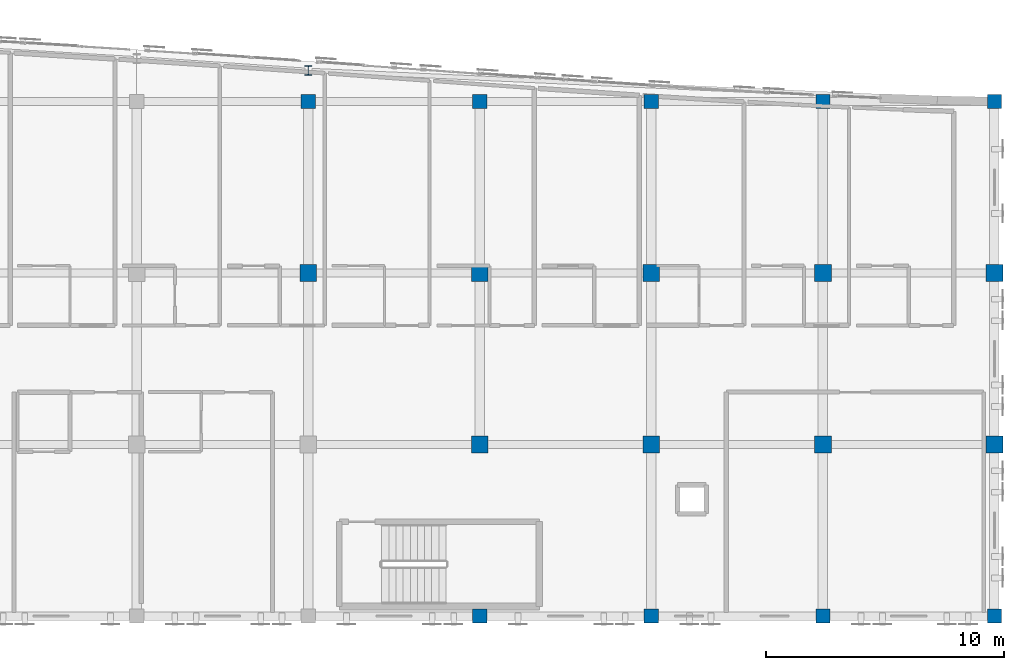
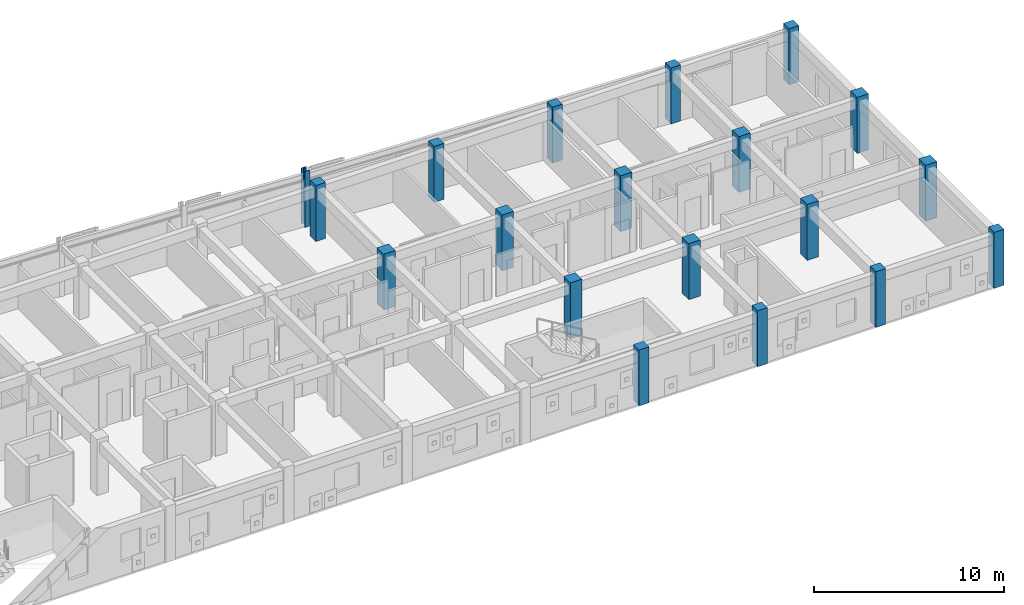
# One storey, part 4 of 48: 19 columns.
"""IFC4 building model written with IfcOpenShell, lengths in metres."""

from ifc_helpers import new_model, si_unit, direction, frame, origin, origin_2d, place, context, subcontext, project, spatial, rectangle, i_section, extrude, material, material_profile, profile_set, type_object, element, save


model = new_model("IFC4")

# Units and contexts
model_context = context("Model", 3, precision=1e-05, world=origin(), true_north=direction((0.0, 1.0)))
body_context = subcontext(model_context, "Body", "Model", "MODEL_VIEW")
ifc_project = project(units=[si_unit("LENGTHUNIT", "METRE"), si_unit("AREAUNIT", "SQUARE_METRE"), si_unit("VOLUMEUNIT", "CUBIC_METRE"), si_unit("PLANEANGLEUNIT", "RADIAN"), si_unit("MASSUNIT", "GRAM", prefix="KILO")], contexts=[model_context])

# Site, building, storey
site_placement = place(None, origin())
site = spatial("IfcSite", under=ifc_project, at=site_placement, CompositionType="ELEMENT")
building_placement = place(site_placement, origin())
building = spatial("IfcBuilding", under=site, at=building_placement, Name="Carrowvane Square Congress Hotel", CompositionType="ELEMENT")
storey_placement = place(building_placement, frame((0.0, 0.0, 26.39990234375)))
storey = spatial("IfcBuildingStorey", under=building, at=storey_placement, Name="L06", CompositionType="ELEMENT", Elevation=26.39990234375)

# Columns
ifc_material_1 = material(Name="Concrete C40/50", Category="concrete")
ifc_material_profile_1 = material_profile(ifc_material_1, rectangle(XDim=0.60009765625, YDim=0.60009765625, at=origin_2d()), Name="RC 600x600")
ifc_profile_set_1 = profile_set([ifc_material_profile_1], Name="Concrete C40/50")
column_type_1 = type_object("IfcColumnType", Name="COL-RC-600", PredefinedType="COLUMN", material=ifc_profile_set_1)
for number, where, z_axis, x_axis, name in (
    (1, (134.0, 113.39990234375, 0.0), (0.0, 0.0, 1.0), (1.0, 0.0, 0.0), "L06 column 18/R"),
    (2, (141.199951171875, 91.800048828125, 0.0), (0.0, 0.0, 1.0), (1.0, 0.0, 0.0), "L06 column 19/N"),
    (3, (141.199951171875, 113.39990234375, 0.0), (0.0, 0.0, 1.0), (1.0, 0.0, 0.0), "L06 column 19/R"),
    (4, (148.39990234375, 91.800048828125, 0.0), (0.0, 0.0, 1.0), (1.0, 0.0, 0.0), "L06 column 20/N"),
    (5, (148.39990234375, 113.39990234375, 0.0), (0.0, 0.0, 1.0), (1.0, 0.0, 0.0), "L06 column 20/R"),
    (6, (155.60009765625, 91.800048828125, 0.0), (0.0, 0.0, 1.0), (1.0, 0.0, 0.0), "L06 column 21/N"),
    (7, (155.60009765625, 113.39990234375, 0.0), (0.0, 0.0, 1.0), (1.0, 0.0, 0.0), "L06 column 21/R"),
    (8, (162.800048828125, 91.800048828125, 0.0), (0.0, 0.0, 1.0), (1.0, 0.0, 0.0), "L06 column 22/N"),
    (9, (162.800048828125, 113.39990234375, 0.0), (0.0, 0.0, 1.0), (1.0, 0.0, 0.0), "L06 column 22/R"),
):
    element("IfcColumn", number, at=place(storey_placement, frame(where, z_axis=z_axis, x_axis=x_axis)), inside=storey, type_object=column_type_1, Name=name, PredefinedType="COLUMN", context=body_context, shape_type="SweptSolid", body=[
        extrude(rectangle(XDim=0.60009765625, YDim=0.60009765625, at=origin_2d()), origin(), (0.0, 0.0, 1.0), 3.60009765625),
    ])
ifc_material_2 = material(Name="Concrete C40/50", Category="concrete")
ifc_material_profile_2 = material_profile(ifc_material_2, rectangle(XDim=0.699951171875, YDim=0.699951171875, at=origin_2d()), Name="RC 700x700")
ifc_profile_set_2 = profile_set([ifc_material_profile_2], Name="Concrete C40/50")
column_type_2 = type_object("IfcColumnType", Name="COL-RC-700", PredefinedType="COLUMN", material=ifc_profile_set_2)
for number, where, z_axis, x_axis, name in (
    (10, (134.0, 106.199951171875, 0.0), (0.0, 0.0, 1.0), (1.0, 0.0, 0.0), "L06 column 18/Q"),
    (11, (141.199951171875, 99.0, 0.0), (0.0, 0.0, 1.0), (1.0, 0.0, 0.0), "L06 column 19/P"),
    (12, (141.199951171875, 106.199951171875, 0.0), (0.0, 0.0, 1.0), (1.0, 0.0, 0.0), "L06 column 19/Q"),
    (13, (148.39990234375, 99.0, 0.0), (0.0, 0.0, 1.0), (1.0, 0.0, 0.0), "L06 column 20/P"),
    (14, (148.39990234375, 106.199951171875, 0.0), (0.0, 0.0, 1.0), (1.0, 0.0, 0.0), "L06 column 20/Q"),
    (15, (155.60009765625, 99.0, 0.0), (0.0, 0.0, 1.0), (1.0, 0.0, 0.0), "L06 column 21/P"),
    (16, (155.60009765625, 106.199951171875, 0.0), (0.0, 0.0, 1.0), (1.0, 0.0, 0.0), "L06 column 21/Q"),
    (17, (162.800048828125, 99.0, 0.0), (0.0, 0.0, 1.0), (1.0, 0.0, 0.0), "L06 column 22/P"),
    (18, (162.800048828125, 106.199951171875, 0.0), (0.0, 0.0, 1.0), (1.0, 0.0, 0.0), "L06 column 22/Q"),
):
    element("IfcColumn", number, at=place(storey_placement, frame(where, z_axis=z_axis, x_axis=x_axis)), inside=storey, type_object=column_type_2, Name=name, PredefinedType="COLUMN", context=body_context, shape_type="SweptSolid", body=[
        extrude(rectangle(XDim=0.699951171875, YDim=0.699951171875, at=origin_2d()), origin(), (0.0, 0.0, 1.0), 3.60009765625),
    ])
ifc_material_3 = material(Name="Steel S355", Category="steel")
ifc_material_profile_3 = material_profile(ifc_material_3, i_section(OverallWidth=0.300048828125, OverallDepth=0.39990234375, WebThickness=0.013427734375, FlangeThickness=0.02392578125, FilletRadius=0.027099609375, at=origin_2d()), Name="HEB 400")
ifc_profile_set_3 = profile_set([ifc_material_profile_3], Name="Steel S355")
column_type_3 = type_object("IfcColumnType", Name="COL-ST-HEB400", PredefinedType="COLUMN", material=ifc_profile_set_3)
column_placement = place(storey_placement, frame((134.0, 114.7060546875, 0.0), z_axis=(0.0, 0.0, 1.0), x_axis=(1.0, 0.0, 0.0)))
element("IfcColumn", 19, at=column_placement, inside=storey, type_object=column_type_3, Name="L06 column 18/ARC", PredefinedType="COLUMN", context=body_context, shape_type="SweptSolid", body=[
    extrude(i_section(OverallWidth=0.300048828125, OverallDepth=0.39990234375, WebThickness=0.013427734375, FlangeThickness=0.02392578125, FilletRadius=0.027099609375, at=origin_2d()), origin(), (0.0, 0.0, 1.0), 3.60009765625),
])

save(model, "model.ifc")
